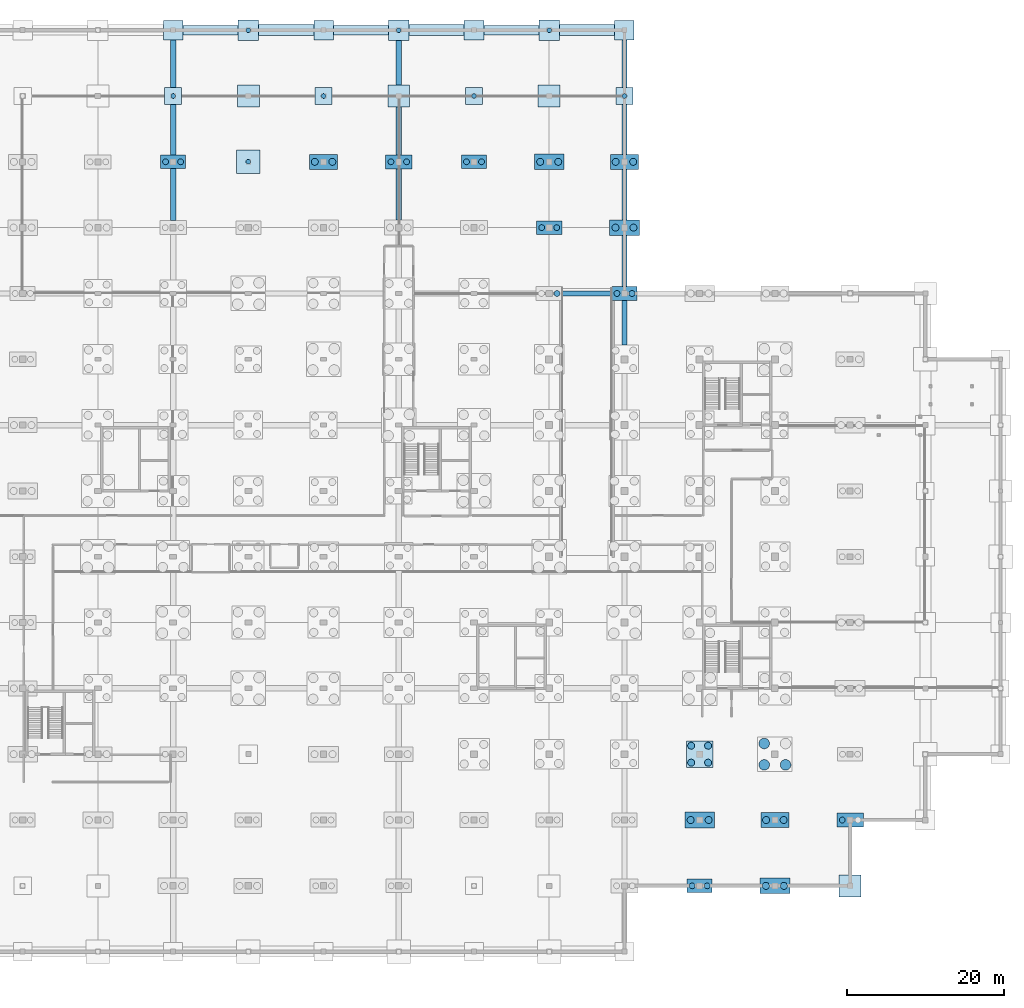
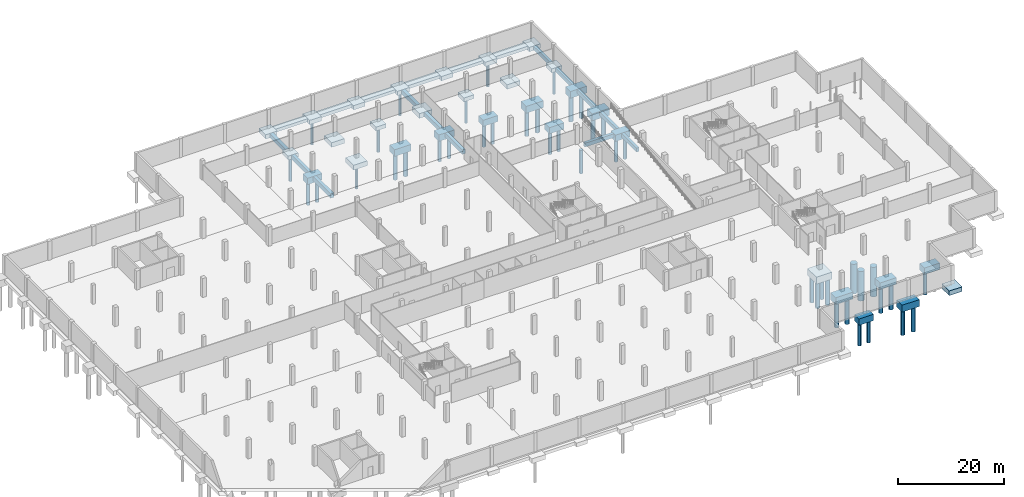
# One storey, part 8 of 26: 49 footings, 43 piles.
"""IFC4 building model written with IfcOpenShell, lengths in metres."""

from ifc_helpers import new_model, si_unit, direction, frame, origin, origin_2d, place, context, subcontext, project, spatial, rectangle, circle, extrude, material, layer, layer_set, material_profile, profile_set, type_object, element, save


model = new_model("IFC4")

# Units and contexts
model_context = context("Model", 3, precision=1e-05, world=origin(), true_north=direction((0.0, 1.0)))
body_context = subcontext(model_context, "Body", "Model", "MODEL_VIEW")
ifc_project = project(units=[si_unit("LENGTHUNIT", "METRE"), si_unit("AREAUNIT", "SQUARE_METRE"), si_unit("VOLUMEUNIT", "CUBIC_METRE"), si_unit("PLANEANGLEUNIT", "RADIAN"), si_unit("MASSUNIT", "GRAM", prefix="KILO")], contexts=[model_context])

# Site, building, storey
site_placement = place(None, origin())
site = spatial("IfcSite", under=ifc_project, at=site_placement, CompositionType="ELEMENT")
building_placement = place(site_placement, origin())
building = spatial("IfcBuilding", under=site, at=building_placement, Name="Lornevale Opera House", CompositionType="ELEMENT")
storey_placement = place(building_placement, frame((0.0, 0.0, -9.60009765625)))
storey = spatial("IfcBuildingStorey", under=building, at=storey_placement, Name="B2", CompositionType="ELEMENT", Elevation=-9.60009765625)

# Footings
ifc_material_1 = material(Name="Concrete 35 MPa (CSA A23.1 N)", Category="concrete")
ifc_layer_1 = layer(ifc_material_1, 1.0)
ifc_layer_set_1 = layer_set([ifc_layer_1], Name="Concrete 35 MPa (CSA A23.1 N)")
footing_type_1 = type_object("IfcFootingType", Name="Canopy Mast Pad 2500x2500x1000", PredefinedType="PAD_FOOTING", material=ifc_layer_set_1)
for number, where, z_axis, x_axis, name in (
    (1, (67.199951171875, 117.60009765625, -1.4599609375), (0.0, 0.0, 1.0), (1.0, 0.0, 0.0), "Canopy Mast Pad 2500x2500x1000 FT-112"),
    (2, (86.39990234375, 117.60009765625, -1.4599609375), (0.0, 0.0, 1.0), (1.0, 0.0, 0.0), "Canopy Mast Pad 2500x2500x1000 FT-142"),
    (3, (105.60009765625, 117.60009765625, -1.4599609375), (0.0, 0.0, 1.0), (1.0, 0.0, 0.0), "Canopy Mast Pad 2500x2500x1000 FT-172"),
    (4, (124.800048828125, 117.60009765625, -1.4599609375), (0.0, 0.0, 1.0), (1.0, 0.0, 0.0), "Canopy Mast Pad 2500x2500x1000 FT-202"),
):
    element("IfcFooting", number, at=place(storey_placement, frame(where, z_axis=z_axis, x_axis=x_axis)), inside=storey, type_object=footing_type_1, Name=name, PredefinedType="PAD_FOOTING", context=body_context, shape_type="SweptSolid", body=[
        extrude(rectangle(XDim=2.5, YDim=2.5, at=origin_2d()), origin(), (0.0, 0.0, 1.0), 1.0),
    ])
ifc_layer_2 = layer(ifc_material_1, 1.60009765625)
ifc_layer_set_2 = layer_set([ifc_layer_2], Name="Concrete 35 MPa (CSA A23.1 N)")
footing_type_2 = type_object("IfcFootingType", Name="Four-Caisson Cap 3400x3400x1600", PredefinedType="PILE_CAP", material=ifc_layer_set_2)
footing_1_placement = place(storey_placement, frame((134.39990234375, 25.199951171875, -2.06005859375), z_axis=(0.0, 0.0, 1.0), x_axis=(1.0, 0.0, 0.0)))
element("IfcFooting", 5, at=footing_1_placement, inside=storey, type_object=footing_type_2, Name="Four-Caisson Cap 3400x3400x1600 FT-205", PredefinedType="PILE_CAP", context=body_context, shape_type="SweptSolid", body=[
    extrude(rectangle(XDim=3.39990234375, YDim=3.39990234375, at=origin_2d()), origin(), (0.0, 0.0, 1.0), 1.60009765625),
])
ifc_layer_3 = layer(ifc_material_1, 0.89990234375)
ifc_layer_set_3 = layer_set([ifc_layer_3], Name="Concrete 35 MPa (CSA A23.1 N)")
footing_type_3 = type_object("IfcFootingType", Name="Grade Tie Beam EW 600x900", PredefinedType="FOOTING_BEAM", material=ifc_layer_set_3)
footing_2_placement = place(storey_placement, frame((120.050048828125, 84.0, -1.35986328125), z_axis=(0.0, 0.0, 1.0), x_axis=(1.0, 0.0, 0.0)))
element("IfcFooting", 6, at=footing_2_placement, inside=storey, type_object=footing_type_3, Name="Grade Tie Beam EW 600x900 FT-308", PredefinedType="FOOTING_BEAM", context=body_context, shape_type="SweptSolid", body=[
    extrude(rectangle(XDim=6.300048828125, YDim=0.60009765625, at=origin_2d()), origin(), (0.0, 0.0, 1.0), 0.89990234375),
])
ifc_layer_4 = layer(ifc_material_1, 0.89990234375)
ifc_layer_set_4 = layer_set([ifc_layer_4], Name="Concrete 35 MPa (CSA A23.1 N)")
footing_type_4 = type_object("IfcFootingType", Name="Grade Tie Beam NS 600x900", PredefinedType="FOOTING_BEAM", material=ifc_layer_set_4)
footing_3_placement = place(storey_placement, frame((124.800048828125, 80.262451171875, -1.35986328125), z_axis=(0.0, 0.0, 1.0), x_axis=(1.0, 0.0, 0.0)))
element("IfcFooting", 7, at=footing_3_placement, inside=storey, type_object=footing_type_4, Name="Grade Tie Beam NS 600x900 FT-387", PredefinedType="FOOTING_BEAM", context=body_context, shape_type="SweptSolid", body=[
    extrude(rectangle(XDim=0.60009765625, YDim=5.72509765625, at=origin_2d()), origin(), (0.0, 0.0, 1.0), 0.89990234375),
])
footing_4_placement = place(storey_placement, frame((124.800048828125, 88.137451171875, -1.35986328125), z_axis=(0.0, 0.0, 1.0), x_axis=(1.0, 0.0, 0.0)))
element("IfcFooting", 8, at=footing_4_placement, inside=storey, type_object=footing_type_4, Name="Grade Tie Beam NS 600x900 FT-388", PredefinedType="FOOTING_BEAM", context=body_context, shape_type="SweptSolid", body=[
    extrude(rectangle(XDim=0.60009765625, YDim=6.52490234375, at=origin_2d()), origin(), (0.0, 0.0, 1.0), 0.89990234375),
])
footing_5_placement = place(storey_placement, frame((124.800048828125, 96.625, -1.35986328125), z_axis=(0.0, 0.0, 1.0), x_axis=(1.0, 0.0, 0.0)))
element("IfcFooting", 9, at=footing_5_placement, inside=storey, type_object=footing_type_4, Name="Grade Tie Beam NS 600x900 FT-389", PredefinedType="FOOTING_BEAM", context=body_context, shape_type="SweptSolid", body=[
    extrude(rectangle(XDim=0.60009765625, YDim=6.449951171875, at=origin_2d()), origin(), (0.0, 0.0, 1.0), 0.89990234375),
])
footing_6_placement = place(storey_placement, frame((124.800048828125, 104.925048828125, -1.35986328125), z_axis=(0.0, 0.0, 1.0), x_axis=(1.0, 0.0, 0.0)))
element("IfcFooting", 10, at=footing_6_placement, inside=storey, type_object=footing_type_4, Name="Grade Tie Beam NS 600x900 FT-390", PredefinedType="FOOTING_BEAM", context=body_context, shape_type="SweptSolid", body=[
    extrude(rectangle(XDim=0.60009765625, YDim=6.35009765625, at=origin_2d()), origin(), (0.0, 0.0, 1.0), 0.89990234375),
])
footing_7_placement = place(storey_placement, frame((124.800048828125, 113.324951171875, -1.35986328125), z_axis=(0.0, 0.0, 1.0), x_axis=(1.0, 0.0, 0.0)))
element("IfcFooting", 11, at=footing_7_placement, inside=storey, type_object=footing_type_4, Name="Grade Tie Beam NS 600x900 FT-391", PredefinedType="FOOTING_BEAM", context=body_context, shape_type="SweptSolid", body=[
    extrude(rectangle(XDim=0.60009765625, YDim=6.050048828125, at=origin_2d()), origin(), (0.0, 0.0, 1.0), 0.89990234375),
])
ifc_layer_5 = layer(ifc_material_1, 1.0)
ifc_layer_set_5 = layer_set([ifc_layer_5], Name="Concrete 35 MPa (CSA A23.1 N)")
footing_type_5 = type_object("IfcFootingType", Name="Grade Tie Beam NS 700x1000", PredefinedType="FOOTING_BEAM", material=ifc_layer_set_5)
footing_8_placement = place(storey_placement, frame((67.199951171875, 96.612548828125, -1.4599609375), z_axis=(0.0, 0.0, 1.0), x_axis=(1.0, 0.0, 0.0)))
element("IfcFooting", 12, at=footing_8_placement, inside=storey, type_object=footing_type_5, Name="Grade Tie Beam NS 700x1000 FT-361", PredefinedType="FOOTING_BEAM", context=body_context, shape_type="SweptSolid", body=[
    extrude(rectangle(XDim=0.699951171875, YDim=6.625, at=origin_2d()), origin(), (0.0, 0.0, 1.0), 1.0),
])
footing_9_placement = place(storey_placement, frame((67.199951171875, 104.887451171875, -1.4599609375), z_axis=(0.0, 0.0, 1.0), x_axis=(1.0, 0.0, 0.0)))
element("IfcFooting", 13, at=footing_9_placement, inside=storey, type_object=footing_type_5, Name="Grade Tie Beam NS 700x1000 FT-362", PredefinedType="FOOTING_BEAM", context=body_context, shape_type="SweptSolid", body=[
    extrude(rectangle(XDim=0.699951171875, YDim=6.425048828125, at=origin_2d()), origin(), (0.0, 0.0, 1.0), 1.0),
])
footing_10_placement = place(storey_placement, frame((67.199951171875, 113.324951171875, -1.4599609375), z_axis=(0.0, 0.0, 1.0), x_axis=(1.0, 0.0, 0.0)))
element("IfcFooting", 14, at=footing_10_placement, inside=storey, type_object=footing_type_5, Name="Grade Tie Beam NS 700x1000 FT-363", PredefinedType="FOOTING_BEAM", context=body_context, shape_type="SweptSolid", body=[
    extrude(rectangle(XDim=0.699951171875, YDim=6.050048828125, at=origin_2d()), origin(), (0.0, 0.0, 1.0), 1.0),
])
footing_11_placement = place(storey_placement, frame((96.0, 96.625, -1.4599609375), z_axis=(0.0, 0.0, 1.0), x_axis=(1.0, 0.0, 0.0)))
element("IfcFooting", 15, at=footing_11_placement, inside=storey, type_object=footing_type_5, Name="Grade Tie Beam NS 700x1000 FT-375", PredefinedType="FOOTING_BEAM", context=body_context, shape_type="SweptSolid", body=[
    extrude(rectangle(XDim=0.699951171875, YDim=6.550048828125, at=origin_2d()), origin(), (0.0, 0.0, 1.0), 1.0),
])
footing_12_placement = place(storey_placement, frame((96.0, 104.75, -1.4599609375), z_axis=(0.0, 0.0, 1.0), x_axis=(1.0, 0.0, 0.0)))
element("IfcFooting", 16, at=footing_12_placement, inside=storey, type_object=footing_type_5, Name="Grade Tie Beam NS 700x1000 FT-376", PredefinedType="FOOTING_BEAM", context=body_context, shape_type="SweptSolid", body=[
    extrude(rectangle(XDim=0.699951171875, YDim=6.10009765625, at=origin_2d()), origin(), (0.0, 0.0, 1.0), 1.0),
])
footing_13_placement = place(storey_placement, frame((96.0, 113.449951171875, -1.4599609375), z_axis=(0.0, 0.0, 1.0), x_axis=(1.0, 0.0, 0.0)))
element("IfcFooting", 17, at=footing_13_placement, inside=storey, type_object=footing_type_5, Name="Grade Tie Beam NS 700x1000 FT-377", PredefinedType="FOOTING_BEAM", context=body_context, shape_type="SweptSolid", body=[
    extrude(rectangle(XDim=0.699951171875, YDim=5.699951171875, at=origin_2d()), origin(), (0.0, 0.0, 1.0), 1.0),
])

# Piles
ifc_material_2 = material(Name="Concrete 40 MPa (CSA A23.1 C-1)", Category="concrete")
ifc_material_profile_1 = material_profile(ifc_material_2, circle(Radius=0.300048828125, at=origin_2d()), Name="CAIS600")
ifc_profile_set_1 = profile_set([ifc_material_profile_1], Name="Concrete 40 MPa (CSA A23.1 C-1)")
pile_type_1 = type_object("IfcPileType", Name="Micropile Caisson D600", PredefinedType="BORED", material=ifc_profile_set_1)
pile_1_placement = place(storey_placement, frame((67.199951171875, 109.199951171875, -1.239990234375), z_axis=(0.0, 0.0, -1.0), x_axis=(1.0, 0.0, 0.0)))
element("IfcPile", 18, at=pile_1_placement, inside=storey, type_object=pile_type_1, Name="Micropile Caisson D600 0211", PredefinedType="BORED", context=body_context, shape_type="SweptSolid", body=[
    extrude(circle(Radius=0.300048828125, at=origin_2d()), origin(), (0.0, 0.0, 1.0), 5.9599609375),
])
pile_2_placement = place(storey_placement, frame((76.800048828125, 100.800048828125, -1.43994140625), z_axis=(0.0, 0.0, -1.0), x_axis=(1.0, 0.0, 0.0)))
element("IfcPile", 19, at=pile_2_placement, inside=storey, type_object=pile_type_1, Name="Micropile Caisson D600 0247", PredefinedType="BORED", context=body_context, shape_type="SweptSolid", body=[
    extrude(circle(Radius=0.300048828125, at=origin_2d()), origin(), (0.0, 0.0, 1.0), 5.760009765625),
])
pile_3_placement = place(storey_placement, frame((76.800048828125, 117.60009765625, -1.33984375), z_axis=(0.0, 0.0, -1.0), x_axis=(1.0, 0.0, 0.0)))
element("IfcPile", 20, at=pile_3_placement, inside=storey, type_object=pile_type_1, Name="Micropile Caisson D600 0248", PredefinedType="BORED", context=body_context, shape_type="SweptSolid", body=[
    extrude(circle(Radius=0.300048828125, at=origin_2d()), origin(), (0.0, 0.0, 1.0), 5.860107421875),
])
pile_4_placement = place(storey_placement, frame((86.39990234375, 109.199951171875, -1.239990234375), z_axis=(0.0, 0.0, -1.0), x_axis=(1.0, 0.0, 0.0)))
element("IfcPile", 21, at=pile_4_placement, inside=storey, type_object=pile_type_1, Name="Micropile Caisson D600 0287", PredefinedType="BORED", context=body_context, shape_type="SweptSolid", body=[
    extrude(circle(Radius=0.300048828125, at=origin_2d()), origin(), (0.0, 0.0, 1.0), 5.9599609375),
])
pile_5_placement = place(storey_placement, frame((96.0, 117.60009765625, -1.33984375), z_axis=(0.0, 0.0, -1.0), x_axis=(1.0, 0.0, 0.0)))
element("IfcPile", 22, at=pile_5_placement, inside=storey, type_object=pile_type_1, Name="Micropile Caisson D600 0327", PredefinedType="BORED", context=body_context, shape_type="SweptSolid", body=[
    extrude(circle(Radius=0.300048828125, at=origin_2d()), origin(), (0.0, 0.0, 1.0), 5.860107421875),
])
pile_6_placement = place(storey_placement, frame((105.60009765625, 109.199951171875, -1.239990234375), z_axis=(0.0, 0.0, -1.0), x_axis=(1.0, 0.0, 0.0)))
element("IfcPile", 23, at=pile_6_placement, inside=storey, type_object=pile_type_1, Name="Micropile Caisson D600 0367", PredefinedType="BORED", context=body_context, shape_type="SweptSolid", body=[
    extrude(circle(Radius=0.300048828125, at=origin_2d()), origin(), (0.0, 0.0, 1.0), 5.9599609375),
])
pile_7_placement = place(storey_placement, frame((115.199951171875, 117.60009765625, -1.33984375), z_axis=(0.0, 0.0, -1.0), x_axis=(1.0, 0.0, 0.0)))
element("IfcPile", 24, at=pile_7_placement, inside=storey, type_object=pile_type_1, Name="Micropile Caisson D600 0405", PredefinedType="BORED", context=body_context, shape_type="SweptSolid", body=[
    extrude(circle(Radius=0.300048828125, at=origin_2d()), origin(), (0.0, 0.0, 1.0), 5.860107421875),
])
pile_8_placement = place(storey_placement, frame((124.800048828125, 109.199951171875, -1.239990234375), z_axis=(0.0, 0.0, -1.0), x_axis=(1.0, 0.0, 0.0)))
element("IfcPile", 25, at=pile_8_placement, inside=storey, type_object=pile_type_1, Name="Micropile Caisson D600 0444", PredefinedType="BORED", context=body_context, shape_type="SweptSolid", body=[
    extrude(circle(Radius=0.300048828125, at=origin_2d()), origin(), (0.0, 0.0, 1.0), 5.9599609375),
])

# Footings
ifc_layer_6 = layer(ifc_material_1, 0.699951171875)
ifc_layer_set_6 = layer_set([ifc_layer_6], Name="Concrete 35 MPa (CSA A23.1 N)")
footing_type_6 = type_object("IfcFootingType", Name="Perimeter Strip Footing 1200x700", PredefinedType="STRIP_FOOTING", material=ifc_layer_set_6)
for number, where, z_axis, x_axis, name in (
    (26, (71.97509765625, 117.60009765625, -1.15966796875), (0.0, 0.0, 1.0), (1.0, 0.0, 0.0), "Perimeter Strip Footing 1200x700 FT-284"),
    (27, (91.175048828125, 117.60009765625, -1.15966796875), (0.0, 0.0, 1.0), (1.0, 0.0, 0.0), "Perimeter Strip Footing 1200x700 FT-294"),
    (28, (110.375, 117.60009765625, -1.15966796875), (0.0, 0.0, 1.0), (1.0, 0.0, 0.0), "Perimeter Strip Footing 1200x700 FT-304"),
):
    element("IfcFooting", number, at=place(storey_placement, frame(where, z_axis=z_axis, x_axis=x_axis)), inside=storey, type_object=footing_type_6, Name=name, PredefinedType="STRIP_FOOTING", context=body_context, shape_type="SweptSolid", body=[
        extrude(rectangle(XDim=7.050048828125, YDim=1.199951171875, at=origin_2d()), origin(), (0.0, 0.0, 1.0), 0.699951171875),
    ])
ifc_layer_7 = layer(ifc_material_1, 0.75)
ifc_layer_set_7 = layer_set([ifc_layer_7], Name="Concrete 35 MPa (CSA A23.1 N)")
footing_type_7 = type_object("IfcFootingType", Name="Perimeter Strip Footing 1400x750", PredefinedType="STRIP_FOOTING", material=ifc_layer_set_7)
for number, where, z_axis, x_axis, name in (
    (29, (81.625, 117.60009765625, -1.2099609375), (0.0, 0.0, 1.0), (1.0, 0.0, 0.0), "Perimeter Strip Footing 1400x750 FT-289"),
    (30, (100.824951171875, 117.60009765625, -1.2099609375), (0.0, 0.0, 1.0), (1.0, 0.0, 0.0), "Perimeter Strip Footing 1400x750 FT-299"),
    (31, (120.02490234375, 117.60009765625, -1.2099609375), (0.0, 0.0, 1.0), (1.0, 0.0, 0.0), "Perimeter Strip Footing 1400x750 FT-309"),
):
    element("IfcFooting", number, at=place(storey_placement, frame(where, z_axis=z_axis, x_axis=x_axis)), inside=storey, type_object=footing_type_7, Name=name, PredefinedType="STRIP_FOOTING", context=body_context, shape_type="SweptSolid", body=[
        extrude(rectangle(XDim=7.050048828125, YDim=1.39990234375, at=origin_2d()), origin(), (0.0, 0.0, 1.0), 0.75),
    ])

# Piles
ifc_material_profile_2 = material_profile(ifc_material_2, circle(Radius=0.675048828125, at=origin_2d()), Name="CAIS1350")
ifc_profile_set_2 = profile_set([ifc_material_profile_2], Name="Concrete 40 MPa (CSA A23.1 C-1)")
pile_type_2 = type_object("IfcPileType", Name="Rock-Socketed Caisson D1350", PredefinedType="BORED", material=ifc_profile_set_2)
for number, where, z_axis, x_axis, name in (
    (32, (142.639892578125, 23.840087890625, -2.33984375), (0.0, 0.0, -1.0), (1.0, 0.0, 0.0), "Rock-Socketed Caisson D1350 0483"),
    (33, (145.360107421875, 23.840087890625, -2.33984375), (0.0, 0.0, -1.0), (1.0, 0.0, 0.0), "Rock-Socketed Caisson D1350 0484"),
    (34, (142.639892578125, 26.56005859375, -2.33984375), (0.0, 0.0, -1.0), (1.0, 0.0, 0.0), "Rock-Socketed Caisson D1350 0485"),
):
    element("IfcPile", number, at=place(storey_placement, frame(where, z_axis=z_axis, x_axis=x_axis)), inside=storey, type_object=pile_type_2, Name=name, PredefinedType="BORED", context=body_context, shape_type="SweptSolid", body=[
        extrude(circle(Radius=0.675048828125, at=origin_2d()), origin(), (0.0, 0.0, 1.0), 6.860107421875),
    ])
ifc_material_profile_3 = material_profile(ifc_material_2, circle(Radius=0.375, at=origin_2d()), Name="CAIS750")
ifc_profile_set_3 = profile_set([ifc_material_profile_3], Name="Concrete 40 MPa (CSA A23.1 C-1)")
pile_type_3 = type_object("IfcPileType", Name="Rock-Socketed Caisson D750", PredefinedType="BORED", material=ifc_profile_set_3)
for number, where, z_axis, x_axis, name in (
    (35, (66.239990234375, 100.800048828125, -1.789794921875), (0.0, 0.0, -1.0), (1.0, 0.0, 0.0), "Rock-Socketed Caisson D750 0209"),
    (36, (68.159912109375, 100.800048828125, -1.789794921875), (0.0, 0.0, -1.0), (1.0, 0.0, 0.0), "Rock-Socketed Caisson D750 0210"),
):
    element("IfcPile", number, at=place(storey_placement, frame(where, z_axis=z_axis, x_axis=x_axis)), inside=storey, type_object=pile_type_3, Name=name, PredefinedType="BORED", context=body_context, shape_type="SweptSolid", body=[
        extrude(circle(Radius=0.375, at=origin_2d()), origin(), (0.0, 0.0, 1.0), 5.409912109375),
    ])
for number, where, z_axis, x_axis, name in (
    (37, (95.0, 100.800048828125, -1.83984375), (0.0, 0.0, -1.0), (1.0, 0.0, 0.0), "Rock-Socketed Caisson D750 0325"),
    (38, (97.0, 100.800048828125, -1.83984375), (0.0, 0.0, -1.0), (1.0, 0.0, 0.0), "Rock-Socketed Caisson D750 0326"),
):
    element("IfcPile", number, at=place(storey_placement, frame(where, z_axis=z_axis, x_axis=x_axis)), inside=storey, type_object=pile_type_3, Name=name, PredefinedType="BORED", context=body_context, shape_type="SweptSolid", body=[
        extrude(circle(Radius=0.375, at=origin_2d()), origin(), (0.0, 0.0, 1.0), 5.360107421875),
    ])
for number, where, z_axis, x_axis, name in (
    (39, (104.639892578125, 100.800048828125, -1.789794921875), (0.0, 0.0, -1.0), (1.0, 0.0, 0.0), "Rock-Socketed Caisson D750 0365"),
    (40, (106.56005859375, 100.800048828125, -1.789794921875), (0.0, 0.0, -1.0), (1.0, 0.0, 0.0), "Rock-Socketed Caisson D750 0366"),
):
    element("IfcPile", number, at=place(storey_placement, frame(where, z_axis=z_axis, x_axis=x_axis)), inside=storey, type_object=pile_type_3, Name=name, PredefinedType="BORED", context=body_context, shape_type="SweptSolid", body=[
        extrude(circle(Radius=0.375, at=origin_2d()), origin(), (0.0, 0.0, 1.0), 5.409912109375),
    ])
pile_9_placement = place(storey_placement, frame((116.199951171875, 84.0, -1.83984375), z_axis=(0.0, 0.0, -1.0), x_axis=(1.0, 0.0, 0.0)))
element("IfcPile", 41, at=pile_9_placement, inside=storey, type_object=pile_type_3, Name="Rock-Socketed Caisson D750 0400", PredefinedType="BORED", context=body_context, shape_type="SweptSolid", body=[
    extrude(circle(Radius=0.375, at=origin_2d()), origin(), (0.0, 0.0, 1.0), 5.360107421875),
])
for number, where, z_axis, x_axis, name in (
    (42, (114.239990234375, 92.39990234375, -1.789794921875), (0.0, 0.0, -1.0), (1.0, 0.0, 0.0), "Rock-Socketed Caisson D750 0401"),
    (43, (116.159912109375, 92.39990234375, -1.789794921875), (0.0, 0.0, -1.0), (1.0, 0.0, 0.0), "Rock-Socketed Caisson D750 0402"),
    (44, (123.840087890625, 84.0, -1.789794921875), (0.0, 0.0, -1.0), (1.0, 0.0, 0.0), "Rock-Socketed Caisson D750 0438"),
    (45, (125.760009765625, 84.0, -1.789794921875), (0.0, 0.0, -1.0), (1.0, 0.0, 0.0), "Rock-Socketed Caisson D750 0439"),
    (46, (133.43994140625, 8.39990234375, -1.789794921875), (0.0, 0.0, -1.0), (1.0, 0.0, 0.0), "Rock-Socketed Caisson D750 0445"),
    (47, (135.360107421875, 8.39990234375, -1.789794921875), (0.0, 0.0, -1.0), (1.0, 0.0, 0.0), "Rock-Socketed Caisson D750 0446"),
):
    element("IfcPile", number, at=place(storey_placement, frame(where, z_axis=z_axis, x_axis=x_axis)), inside=storey, type_object=pile_type_3, Name=name, PredefinedType="BORED", context=body_context, shape_type="SweptSolid", body=[
        extrude(circle(Radius=0.375, at=origin_2d()), origin(), (0.0, 0.0, 1.0), 5.409912109375),
    ])
pile_10_placement = place(storey_placement, frame((152.60009765625, 16.800048828125, -1.83984375), z_axis=(0.0, 0.0, -1.0), x_axis=(1.0, 0.0, 0.0)))
element("IfcPile", 48, at=pile_10_placement, inside=storey, type_object=pile_type_3, Name="Rock-Socketed Caisson D750 0513", PredefinedType="BORED", context=body_context, shape_type="SweptSolid", body=[
    extrude(circle(Radius=0.375, at=origin_2d()), origin(), (0.0, 0.0, 1.0), 5.360107421875),
])
ifc_material_profile_4 = material_profile(ifc_material_2, circle(Radius=0.449951171875, at=origin_2d()), Name="CAIS900")
ifc_profile_set_4 = profile_set([ifc_material_profile_4], Name="Concrete 40 MPa (CSA A23.1 C-1)")
pile_type_4 = type_object("IfcPileType", Name="Rock-Socketed Caisson D900", PredefinedType="BORED", material=ifc_profile_set_4)
for number, where, z_axis, x_axis, name in (
    (49, (85.280029296875, 100.800048828125, -1.889892578125), (0.0, 0.0, -1.0), (1.0, 0.0, 0.0), "Rock-Socketed Caisson D900 0285"),
    (50, (87.52001953125, 100.800048828125, -1.889892578125), (0.0, 0.0, -1.0), (1.0, 0.0, 0.0), "Rock-Socketed Caisson D900 0286"),
):
    element("IfcPile", number, at=place(storey_placement, frame(where, z_axis=z_axis, x_axis=x_axis)), inside=storey, type_object=pile_type_4, Name=name, PredefinedType="BORED", context=body_context, shape_type="SweptSolid", body=[
        extrude(circle(Radius=0.449951171875, at=origin_2d()), origin(), (0.0, 0.0, 1.0), 6.110107421875),
    ])
for number, where, z_axis, x_axis, name in (
    (51, (114.050048828125, 100.800048828125, -1.93994140625), (0.0, 0.0, -1.0), (1.0, 0.0, 0.0), "Rock-Socketed Caisson D900 0403"),
    (52, (116.35009765625, 100.800048828125, -1.93994140625), (0.0, 0.0, -1.0), (1.0, 0.0, 0.0), "Rock-Socketed Caisson D900 0404"),
    (53, (123.64990234375, 92.39990234375, -1.93994140625), (0.0, 0.0, -1.0), (1.0, 0.0, 0.0), "Rock-Socketed Caisson D900 0440"),
    (54, (125.949951171875, 92.39990234375, -1.93994140625), (0.0, 0.0, -1.0), (1.0, 0.0, 0.0), "Rock-Socketed Caisson D900 0441"),
):
    element("IfcPile", number, at=place(storey_placement, frame(where, z_axis=z_axis, x_axis=x_axis)), inside=storey, type_object=pile_type_4, Name=name, PredefinedType="BORED", context=body_context, shape_type="SweptSolid", body=[
        extrude(circle(Radius=0.449951171875, at=origin_2d()), origin(), (0.0, 0.0, 1.0), 6.06005859375),
    ])
for number, where, z_axis, x_axis, name in (
    (55, (123.679931640625, 100.800048828125, -1.889892578125), (0.0, 0.0, -1.0), (1.0, 0.0, 0.0), "Rock-Socketed Caisson D900 0442"),
    (56, (125.919921875, 100.800048828125, -1.889892578125), (0.0, 0.0, -1.0), (1.0, 0.0, 0.0), "Rock-Socketed Caisson D900 0443"),
):
    element("IfcPile", number, at=place(storey_placement, frame(where, z_axis=z_axis, x_axis=x_axis)), inside=storey, type_object=pile_type_4, Name=name, PredefinedType="BORED", context=body_context, shape_type="SweptSolid", body=[
        extrude(circle(Radius=0.449951171875, at=origin_2d()), origin(), (0.0, 0.0, 1.0), 6.110107421875),
    ])
for number, where, z_axis, x_axis, name in (
    (57, (133.25, 16.800048828125, -1.93994140625), (0.0, 0.0, -1.0), (1.0, 0.0, 0.0), "Rock-Socketed Caisson D900 0447"),
    (58, (135.550048828125, 16.800048828125, -1.93994140625), (0.0, 0.0, -1.0), (1.0, 0.0, 0.0), "Rock-Socketed Caisson D900 0448"),
    (59, (133.320068359375, 24.1201171875, -1.93994140625), (0.0, 0.0, -1.0), (1.0, 0.0, 0.0), "Rock-Socketed Caisson D900 0449"),
    (60, (135.47998046875, 24.1201171875, -1.93994140625), (0.0, 0.0, -1.0), (1.0, 0.0, 0.0), "Rock-Socketed Caisson D900 0450"),
    (61, (133.320068359375, 26.280029296875, -1.93994140625), (0.0, 0.0, -1.0), (1.0, 0.0, 0.0), "Rock-Socketed Caisson D900 0451"),
    (62, (135.47998046875, 26.280029296875, -1.93994140625), (0.0, 0.0, -1.0), (1.0, 0.0, 0.0), "Rock-Socketed Caisson D900 0452"),
    (63, (142.85009765625, 8.39990234375, -1.93994140625), (0.0, 0.0, -1.0), (1.0, 0.0, 0.0), "Rock-Socketed Caisson D900 0479"),
    (64, (145.14990234375, 8.39990234375, -1.93994140625), (0.0, 0.0, -1.0), (1.0, 0.0, 0.0), "Rock-Socketed Caisson D900 0480"),
):
    element("IfcPile", number, at=place(storey_placement, frame(where, z_axis=z_axis, x_axis=x_axis)), inside=storey, type_object=pile_type_4, Name=name, PredefinedType="BORED", context=body_context, shape_type="SweptSolid", body=[
        extrude(circle(Radius=0.449951171875, at=origin_2d()), origin(), (0.0, 0.0, 1.0), 6.06005859375),
    ])
for number, where, z_axis, x_axis, name in (
    (65, (142.8798828125, 16.800048828125, -1.889892578125), (0.0, 0.0, -1.0), (1.0, 0.0, 0.0), "Rock-Socketed Caisson D900 0481"),
    (66, (145.1201171875, 16.800048828125, -1.889892578125), (0.0, 0.0, -1.0), (1.0, 0.0, 0.0), "Rock-Socketed Caisson D900 0482"),
):
    element("IfcPile", number, at=place(storey_placement, frame(where, z_axis=z_axis, x_axis=x_axis)), inside=storey, type_object=pile_type_4, Name=name, PredefinedType="BORED", context=body_context, shape_type="SweptSolid", body=[
        extrude(circle(Radius=0.449951171875, at=origin_2d()), origin(), (0.0, 0.0, 1.0), 6.110107421875),
    ])

# Footings
ifc_layer_8 = layer(ifc_material_1, 0.89990234375)
ifc_layer_set_8 = layer_set([ifc_layer_8], Name="Concrete 35 MPa (CSA A23.1 N)")
footing_type_8 = type_object("IfcFootingType", Name="Spread Pad Footing 2200x2200x900", PredefinedType="PAD_FOOTING", material=ifc_layer_set_8)
for number, where, z_axis, x_axis, name in (
    (67, (67.199951171875, 109.199951171875, -1.35986328125), (0.0, 0.0, 1.0), (1.0, 0.0, 0.0), "Spread Pad Footing 2200x2200x900 FT-111"),
    (68, (86.39990234375, 109.199951171875, -1.35986328125), (0.0, 0.0, 1.0), (1.0, 0.0, 0.0), "Spread Pad Footing 2200x2200x900 FT-141"),
    (69, (105.60009765625, 109.199951171875, -1.35986328125), (0.0, 0.0, 1.0), (1.0, 0.0, 0.0), "Spread Pad Footing 2200x2200x900 FT-171"),
    (70, (124.800048828125, 109.199951171875, -1.35986328125), (0.0, 0.0, 1.0), (1.0, 0.0, 0.0), "Spread Pad Footing 2200x2200x900 FT-201"),
):
    element("IfcFooting", number, at=place(storey_placement, frame(where, z_axis=z_axis, x_axis=x_axis)), inside=storey, type_object=footing_type_8, Name=name, PredefinedType="PAD_FOOTING", context=body_context, shape_type="SweptSolid", body=[
        extrude(rectangle(XDim=2.199951171875, YDim=2.199951171875, at=origin_2d()), origin(), (0.0, 0.0, 1.0), 0.89990234375),
    ])
ifc_layer_9 = layer(ifc_material_1, 1.0)
ifc_layer_set_9 = layer_set([ifc_layer_9], Name="Concrete 35 MPa (CSA A23.1 N)")
footing_type_9 = type_object("IfcFootingType", Name="Spread Pad Footing 2600x2600x1000", PredefinedType="PAD_FOOTING", material=ifc_layer_set_9)
for number, where, z_axis, x_axis, name in (
    (71, (76.800048828125, 117.60009765625, -1.4599609375), (0.0, 0.0, 1.0), (1.0, 0.0, 0.0), "Spread Pad Footing 2600x2600x1000 FT-127"),
    (72, (96.0, 117.60009765625, -1.4599609375), (0.0, 0.0, 1.0), (1.0, 0.0, 0.0), "Spread Pad Footing 2600x2600x1000 FT-157"),
    (73, (115.199951171875, 117.60009765625, -1.4599609375), (0.0, 0.0, 1.0), (1.0, 0.0, 0.0), "Spread Pad Footing 2600x2600x1000 FT-187"),
):
    element("IfcFooting", number, at=place(storey_placement, frame(where, z_axis=z_axis, x_axis=x_axis)), inside=storey, type_object=footing_type_9, Name=name, PredefinedType="PAD_FOOTING", context=body_context, shape_type="SweptSolid", body=[
        extrude(rectangle(XDim=2.60009765625, YDim=2.60009765625, at=origin_2d()), origin(), (0.0, 0.0, 1.0), 1.0),
    ])
ifc_layer_10 = layer(ifc_material_1, 1.050048828125)
ifc_layer_set_10 = layer_set([ifc_layer_10], Name="Concrete 35 MPa (CSA A23.1 N)")
footing_type_10 = type_object("IfcFootingType", Name="Spread Pad Footing 2800x2800x1050", PredefinedType="PAD_FOOTING", material=ifc_layer_set_10)
for number, where, z_axis, x_axis, name in (
    (74, (76.800048828125, 109.199951171875, -1.509765625), (0.0, 0.0, 1.0), (1.0, 0.0, 0.0), "Spread Pad Footing 2800x2800x1050 FT-126"),
    (75, (96.0, 109.199951171875, -1.509765625), (0.0, 0.0, 1.0), (1.0, 0.0, 0.0), "Spread Pad Footing 2800x2800x1050 FT-156"),
    (76, (115.199951171875, 109.199951171875, -1.509765625), (0.0, 0.0, 1.0), (1.0, 0.0, 0.0), "Spread Pad Footing 2800x2800x1050 FT-186"),
    (77, (153.60009765625, 8.39990234375, -1.509765625), (0.0, 0.0, 1.0), (1.0, 0.0, 0.0), "Spread Pad Footing 2800x2800x1050 FT-223"),
):
    element("IfcFooting", number, at=place(storey_placement, frame(where, z_axis=z_axis, x_axis=x_axis)), inside=storey, type_object=footing_type_10, Name=name, PredefinedType="PAD_FOOTING", context=body_context, shape_type="SweptSolid", body=[
        extrude(rectangle(XDim=2.800048828125, YDim=2.800048828125, at=origin_2d()), origin(), (0.0, 0.0, 1.0), 1.050048828125),
    ])
ifc_layer_11 = layer(ifc_material_1, 1.10009765625)
ifc_layer_set_11 = layer_set([ifc_layer_11], Name="Concrete 35 MPa (CSA A23.1 N)")
footing_type_11 = type_object("IfcFootingType", Name="Spread Pad Footing 3000x3000x1100", PredefinedType="PAD_FOOTING", material=ifc_layer_set_11)
footing_14_placement = place(storey_placement, frame((76.800048828125, 100.800048828125, -1.56005859375), z_axis=(0.0, 0.0, 1.0), x_axis=(1.0, 0.0, 0.0)))
element("IfcFooting", 78, at=footing_14_placement, inside=storey, type_object=footing_type_11, Name="Spread Pad Footing 3000x3000x1100 FT-125", PredefinedType="PAD_FOOTING", context=body_context, shape_type="SweptSolid", body=[
    extrude(rectangle(XDim=3.0, YDim=3.0, at=origin_2d()), origin(), (0.0, 0.0, 1.0), 1.10009765625),
])
ifc_layer_12 = layer(ifc_material_1, 1.449951171875)
ifc_layer_set_12 = layer_set([ifc_layer_12], Name="Concrete 35 MPa (CSA A23.1 N)")
footing_type_12 = type_object("IfcFootingType", Name="Two-Caisson Cap 3200x1750x1450", PredefinedType="PILE_CAP", material=ifc_layer_set_12)
for number, where, z_axis, x_axis, name in (
    (79, (67.199951171875, 100.800048828125, -1.90966796875), (0.0, 0.0, 1.0), (1.0, 0.0, 0.0), "Two-Caisson Cap 3200x1750x1450 FT-110"),
    (80, (105.60009765625, 100.800048828125, -1.90966796875), (0.0, 0.0, 1.0), (1.0, 0.0, 0.0), "Two-Caisson Cap 3200x1750x1450 FT-170"),
    (81, (115.199951171875, 92.39990234375, -1.90966796875), (0.0, 0.0, 1.0), (1.0, 0.0, 0.0), "Two-Caisson Cap 3200x1750x1450 FT-184"),
    (82, (124.800048828125, 84.0, -1.90966796875), (0.0, 0.0, 1.0), (1.0, 0.0, 0.0), "Two-Caisson Cap 3200x1750x1450 FT-198"),
    (83, (134.39990234375, 8.39990234375, -1.90966796875), (0.0, 0.0, 1.0), (1.0, 0.0, 0.0), "Two-Caisson Cap 3200x1750x1450 FT-203"),
):
    element("IfcFooting", number, at=place(storey_placement, frame(where, z_axis=z_axis, x_axis=x_axis)), inside=storey, type_object=footing_type_12, Name=name, PredefinedType="PILE_CAP", context=body_context, shape_type="SweptSolid", body=[
        extrude(rectangle(XDim=3.199951171875, YDim=1.75, at=origin_2d()), origin(), (0.0, 0.0, 1.0), 1.449951171875),
    ])
ifc_layer_13 = layer(ifc_material_1, 1.5)
ifc_layer_set_13 = layer_set([ifc_layer_13], Name="Concrete 35 MPa (CSA A23.1 N)")
footing_type_13 = type_object("IfcFootingType", Name="Two-Caisson Cap 3400x1800x1500", PredefinedType="PILE_CAP", material=ifc_layer_set_13)
for number, where, z_axis, x_axis, name in (
    (84, (96.0, 100.800048828125, -1.9599609375), (0.0, 0.0, 1.0), (1.0, 0.0, 0.0), "Two-Caisson Cap 3400x1800x1500 FT-155"),
    (85, (153.60009765625, 16.800048828125, -1.9599609375), (0.0, 0.0, 1.0), (1.0, 0.0, 0.0), "Two-Caisson Cap 3400x1800x1500 FT-224"),
):
    element("IfcFooting", number, at=place(storey_placement, frame(where, z_axis=z_axis, x_axis=x_axis)), inside=storey, type_object=footing_type_13, Name=name, PredefinedType="PILE_CAP", context=body_context, shape_type="SweptSolid", body=[
        extrude(rectangle(XDim=3.39990234375, YDim=1.800048828125, at=origin_2d()), origin(), (0.0, 0.0, 1.0), 1.5),
    ])
ifc_layer_14 = layer(ifc_material_1, 1.550048828125)
ifc_layer_set_14 = layer_set([ifc_layer_14], Name="Concrete 35 MPa (CSA A23.1 N)")
footing_type_14 = type_object("IfcFootingType", Name="Two-Caisson Cap 3600x1900x1550", PredefinedType="PILE_CAP", material=ifc_layer_set_14)
for number, where, z_axis, x_axis, name in (
    (86, (86.39990234375, 100.800048828125, -2.009765625), (0.0, 0.0, 1.0), (1.0, 0.0, 0.0), "Two-Caisson Cap 3600x1900x1550 FT-140"),
    (87, (124.800048828125, 100.800048828125, -2.009765625), (0.0, 0.0, 1.0), (1.0, 0.0, 0.0), "Two-Caisson Cap 3600x1900x1550 FT-200"),
    (88, (144.0, 16.800048828125, -2.009765625), (0.0, 0.0, 1.0), (1.0, 0.0, 0.0), "Two-Caisson Cap 3600x1900x1550 FT-214"),
):
    element("IfcFooting", number, at=place(storey_placement, frame(where, z_axis=z_axis, x_axis=x_axis)), inside=storey, type_object=footing_type_14, Name=name, PredefinedType="PILE_CAP", context=body_context, shape_type="SweptSolid", body=[
        extrude(rectangle(XDim=3.60009765625, YDim=1.89990234375, at=origin_2d()), origin(), (0.0, 0.0, 1.0), 1.550048828125),
    ])
ifc_layer_15 = layer(ifc_material_1, 1.60009765625)
ifc_layer_set_15 = layer_set([ifc_layer_15], Name="Concrete 35 MPa (CSA A23.1 N)")
footing_type_15 = type_object("IfcFootingType", Name="Two-Caisson Cap 3800x2000x1600", PredefinedType="PILE_CAP", material=ifc_layer_set_15)
for number, where, z_axis, x_axis, name in (
    (89, (115.199951171875, 100.800048828125, -2.06005859375), (0.0, 0.0, 1.0), (1.0, 0.0, 0.0), "Two-Caisson Cap 3800x2000x1600 FT-185"),
    (90, (124.800048828125, 92.39990234375, -2.06005859375), (0.0, 0.0, 1.0), (1.0, 0.0, 0.0), "Two-Caisson Cap 3800x2000x1600 FT-199"),
    (91, (134.39990234375, 16.800048828125, -2.06005859375), (0.0, 0.0, 1.0), (1.0, 0.0, 0.0), "Two-Caisson Cap 3800x2000x1600 FT-204"),
    (92, (144.0, 8.39990234375, -2.06005859375), (0.0, 0.0, 1.0), (1.0, 0.0, 0.0), "Two-Caisson Cap 3800x2000x1600 FT-213"),
):
    element("IfcFooting", number, at=place(storey_placement, frame(where, z_axis=z_axis, x_axis=x_axis)), inside=storey, type_object=footing_type_15, Name=name, PredefinedType="PILE_CAP", context=body_context, shape_type="SweptSolid", body=[
        extrude(rectangle(XDim=3.800048828125, YDim=2.0, at=origin_2d()), origin(), (0.0, 0.0, 1.0), 1.60009765625),
    ])

save(model, "model.ifc")
